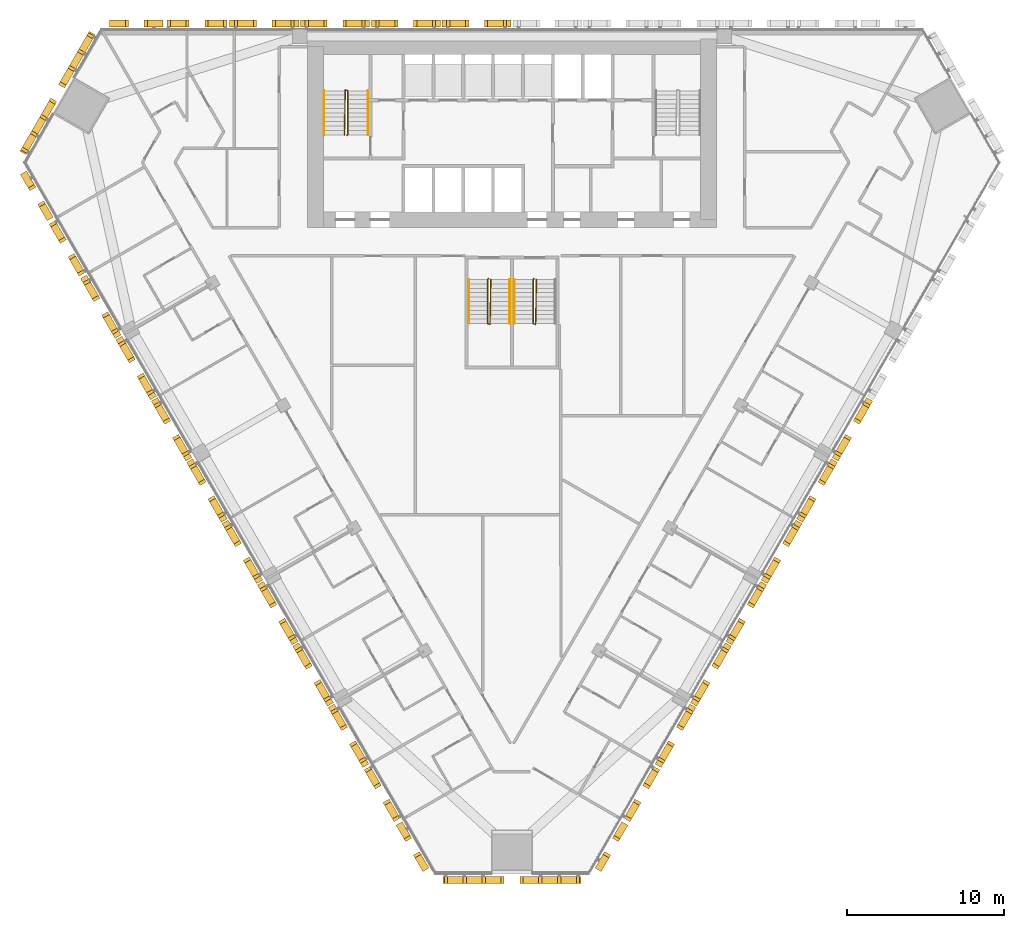
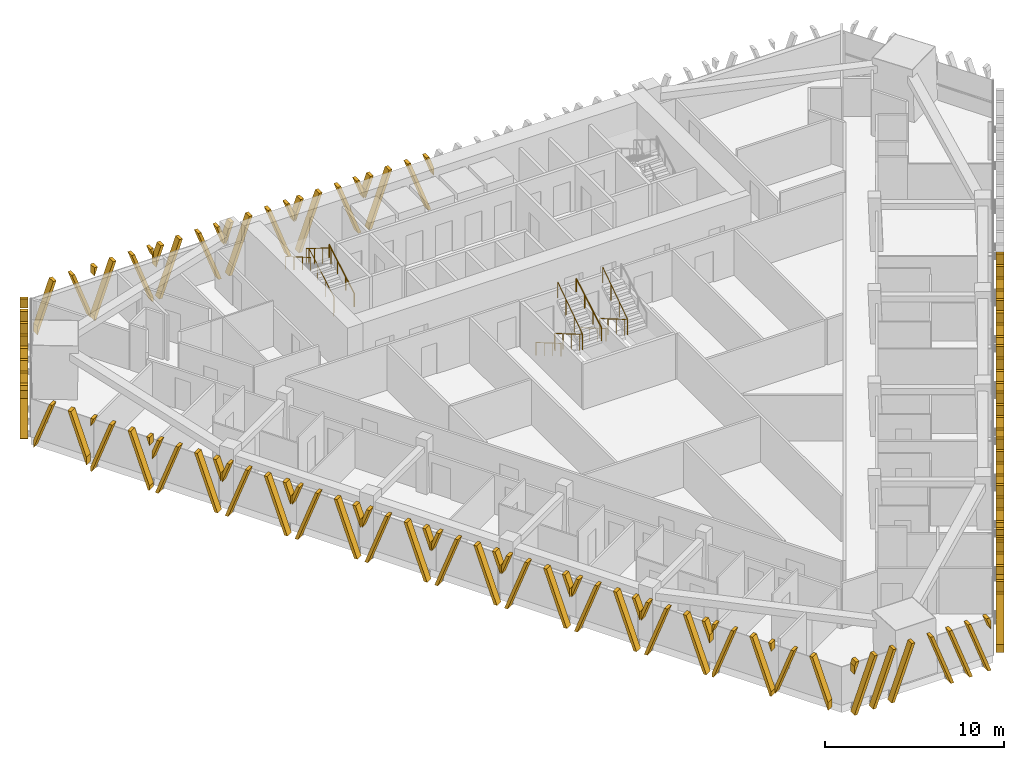
# One storey, part 16 of 18: 28 shading devices, 8 railings.
"""IFC4 building model written with IfcOpenShell, lengths in metres."""

from ifc_helpers import new_model, si_unit, direction, frame, origin, origin_2d, place, context, subcontext, project, spatial, polyline, circle, outline, extrude, source, transform, mapped, material, type_object, element, save


model = new_model("IFC4")

# Units and contexts
model_context = context("Model", 3, precision=1e-05, world=origin(), true_north=direction((0.0, 1.0)))
body_context = subcontext(model_context, "Body", "Model", "MODEL_VIEW")
ifc_project = project(units=[si_unit("LENGTHUNIT", "METRE"), si_unit("AREAUNIT", "SQUARE_METRE"), si_unit("VOLUMEUNIT", "CUBIC_METRE"), si_unit("PLANEANGLEUNIT", "RADIAN"), si_unit("MASSUNIT", "GRAM", prefix="KILO")], contexts=[model_context])

# Site, building, storey
site_placement = place(None, origin())
site = spatial("IfcSite", under=ifc_project, at=site_placement, CompositionType="ELEMENT")
building_placement = place(site_placement, origin())
building = spatial("IfcBuilding", under=site, at=building_placement, Name="Altiplano Prism Tower", CompositionType="ELEMENT")
storey_placement = place(building_placement, frame((0.0, 0.0, 37.800048828125)))
storey = spatial("IfcBuildingStorey", under=building, at=storey_placement, Name="L08", CompositionType="ELEMENT", Elevation=37.800048828125)

# Railings
ifc_material_1 = material(Name="Steel S355", Category="steel")
railing_type_1 = type_object("IfcRailingType", Name="Stair guard 1100", PredefinedType="GUARDRAIL", material=ifc_material_1)
railing_1_placement = place(storey_placement, frame((74.5, 98.25, 0.0)))
element("IfcRailing", 1, at=railing_1_placement, inside=storey, type_object=railing_type_1, Name="L08 ST1 stair guard 1", PredefinedType="GUARDRAIL", context=body_context, shape_type="SweptSolid", body=[
    extrude(circle(Radius=0.02392578125, at=origin_2d()), frame((0.0, 0.0, 1.076171875), z_axis=(0.280808744504, 0.280808744504, 0.917765164963), x_axis=(-0.707106781187, 0.707106781187, 0.0)), (0.0, 0.0, 1.0), 0.17822265625),
    extrude(circle(Radius=0.02392578125, at=origin_2d()), frame((0.050048828125, 0.050048828125, 1.23974609375), z_axis=(0.0, 0.863360870873, 0.504586966384), x_axis=(-1.0, 0.0, 0.0)), (0.0, 0.0, 1.0), 3.2431640625),
    extrude(circle(Radius=0.02392578125, at=origin_2d()), frame((0.050048828125, 2.85009765625, 2.8759765625), z_axis=(-0.949145278916, 0.314838433982, 0.0), x_axis=(-0.314838433982, -0.949145278916, 0.0)), (0.0, 0.0, 1.0), 0.158203125),
    extrude(circle(Radius=0.02392578125, at=origin_2d()), frame((-0.10009765625, 2.89990234375, 2.8759765625), z_axis=(-0.014774583964, -0.845410385345, 0.533912906773), x_axis=(0.999847325713, -0.01747355902, 0.0)), (0.0, 0.0, 1.0), 3.370849609375),
    extrude(circle(Radius=0.02099609375, at=origin_2d()), origin(), (0.0, 0.0, 1.0), 1.052001953125),
    extrude(circle(Radius=0.02099609375, at=origin_2d()), frame((0.050048828125, 0.050048828125, 0.16357421875)), (0.0, 0.0, 1.0), 1.052001953125),
    extrude(circle(Radius=0.02099609375, at=origin_2d()), frame((0.050048828125, 0.9833984375, 0.708984375)), (0.0, 0.0, 1.0), 1.052001953125),
    extrude(circle(Radius=0.02099609375, at=origin_2d()), frame((0.050048828125, 1.916748046875, 1.254638671875)), (0.0, 0.0, 1.0), 1.052001953125),
    extrude(circle(Radius=0.02099609375, at=origin_2d()), frame((0.050048828125, 2.85009765625, 1.800048828125)), (0.0, 0.0, 1.0), 1.052001953125),
    extrude(circle(Radius=0.02099609375, at=origin_2d()), frame((-0.10009765625, 2.89990234375, 1.800048828125)), (0.0, 0.0, 1.0), 1.052001953125),
    extrude(circle(Radius=0.02099609375, at=origin_2d()), frame((-0.11669921875, 1.949951171875, 2.39990234375)), (0.0, 0.0, 1.0), 1.052001953125),
    extrude(circle(Radius=0.02099609375, at=origin_2d()), frame((-0.13330078125, 1.0, 3.0)), (0.0, 0.0, 1.0), 1.052001953125),
    extrude(circle(Radius=0.02099609375, at=origin_2d()), frame((-0.14990234375, 0.050048828125, 3.599853515625)), (0.0, 0.0, 1.0), 1.052001953125),
])
railing_2_placement = place(storey_placement, frame((83.5, 89.14990234375, 0.0)))
element("IfcRailing", 2, at=railing_2_placement, inside=storey, type_object=railing_type_1, Name="L08 ST3A stair guard 1", PredefinedType="GUARDRAIL", context=body_context, shape_type="SweptSolid", body=[
    extrude(circle(Radius=0.02392578125, at=origin_2d()), frame((0.0, 0.0, 1.076171875), z_axis=(-0.280916556609, -0.279546231943, 0.91811752648), x_axis=(0.705375805398, -0.708833529934, 0.0)), (0.0, 0.0, 1.0), 0.17822265625),
    extrude(circle(Radius=0.02392578125, at=origin_2d()), frame((-0.050048828125, -0.0498046875, 1.23974609375), z_axis=(0.0, -0.863360870873, 0.504586966384), x_axis=(1.0, 0.0, 0.0)), (0.0, 0.0, 1.0), 3.2431640625),
    extrude(circle(Radius=0.02392578125, at=origin_2d()), frame((-0.050048828125, -2.849853515625, 2.8759765625), z_axis=(0.948683298051, -0.316227766017, 0.0), x_axis=(0.316227766017, 0.948683298051, 0.0)), (0.0, 0.0, 1.0), 0.158203125),
    extrude(circle(Radius=0.02392578125, at=origin_2d()), frame((0.10009765625, -2.89990234375, 2.8759765625), z_axis=(0.014773679385, 0.845431044782, 0.53388021776), x_axis=(-0.999847351862, 0.017472062685, 0.0)), (0.0, 0.0, 1.0), 3.37109375),
    extrude(circle(Radius=0.02099609375, at=origin_2d()), origin(), (0.0, 0.0, 1.0), 1.052001953125),
    extrude(circle(Radius=0.02099609375, at=origin_2d()), frame((-0.050048828125, -0.0498046875, 0.16357421875)), (0.0, 0.0, 1.0), 1.052001953125),
    extrude(circle(Radius=0.02099609375, at=origin_2d()), frame((-0.050048828125, -0.983154296875, 0.708984375)), (0.0, 0.0, 1.0), 1.052001953125),
    extrude(circle(Radius=0.02099609375, at=origin_2d()), frame((-0.050048828125, -1.91650390625, 1.254638671875)), (0.0, 0.0, 1.0), 1.052001953125),
    extrude(circle(Radius=0.02099609375, at=origin_2d()), frame((-0.050048828125, -2.849853515625, 1.800048828125)), (0.0, 0.0, 1.0), 1.052001953125),
    extrude(circle(Radius=0.02099609375, at=origin_2d()), frame((0.10009765625, -2.89990234375, 1.800048828125)), (0.0, 0.0, 1.0), 1.052001953125),
    extrude(circle(Radius=0.02099609375, at=origin_2d()), frame((0.11669921875, -1.949951171875, 2.39990234375)), (0.0, 0.0, 1.0), 1.052001953125),
    extrude(circle(Radius=0.02099609375, at=origin_2d()), frame((0.13330078125, -0.999755859375, 3.0)), (0.0, 0.0, 1.0), 1.052001953125),
    extrude(circle(Radius=0.02099609375, at=origin_2d()), frame((0.14990234375, -0.0498046875, 3.599853515625)), (0.0, 0.0, 1.0), 1.052001953125),
])
railing_3_placement = place(storey_placement, frame((86.39990234375, 89.14990234375, 0.0)))
element("IfcRailing", 3, at=railing_3_placement, inside=storey, type_object=railing_type_1, Name="L08 ST3B stair guard 1", PredefinedType="GUARDRAIL", context=body_context, shape_type="SweptSolid", body=[
    extrude(circle(Radius=0.02392578125, at=origin_2d()), frame((0.0, 0.0, 1.076171875), z_axis=(-0.279653641804, -0.279653641804, 0.918470294159), x_axis=(0.707106781187, -0.707106781187, 0.0)), (0.0, 0.0, 1.0), 0.177978515625),
    extrude(circle(Radius=0.02392578125, at=origin_2d()), frame((-0.0498046875, -0.0498046875, 1.23974609375), z_axis=(0.0, -0.863360870873, 0.504586966384), x_axis=(1.0, 0.0, 0.0)), (0.0, 0.0, 1.0), 3.2431640625),
    extrude(circle(Radius=0.02392578125, at=origin_2d()), frame((-0.0498046875, -2.849853515625, 2.8759765625), z_axis=(0.948528701346, -0.316691178788, 0.0), x_axis=(0.316691178788, 0.948528701346, 0.0)), (0.0, 0.0, 1.0), 0.157958984375),
    extrude(circle(Radius=0.02392578125, at=origin_2d()), frame((0.10009765625, -2.89990234375, 2.8759765625), z_axis=(0.014846083459, 0.845430138032, 0.533879645158), x_axis=(-0.999845851991, 0.017557683712, 0.0)), (0.0, 0.0, 1.0), 3.37109375),
    extrude(circle(Radius=0.02099609375, at=origin_2d()), origin(), (0.0, 0.0, 1.0), 1.052001953125),
    extrude(circle(Radius=0.02099609375, at=origin_2d()), frame((-0.0498046875, -0.0498046875, 0.16357421875)), (0.0, 0.0, 1.0), 1.052001953125),
    extrude(circle(Radius=0.02099609375, at=origin_2d()), frame((-0.0498046875, -0.983154296875, 0.708984375)), (0.0, 0.0, 1.0), 1.052001953125),
    extrude(circle(Radius=0.02099609375, at=origin_2d()), frame((-0.0498046875, -1.91650390625, 1.254638671875)), (0.0, 0.0, 1.0), 1.052001953125),
    extrude(circle(Radius=0.02099609375, at=origin_2d()), frame((-0.0498046875, -2.849853515625, 1.800048828125)), (0.0, 0.0, 1.0), 1.052001953125),
    extrude(circle(Radius=0.02099609375, at=origin_2d()), frame((0.10009765625, -2.89990234375, 1.800048828125)), (0.0, 0.0, 1.0), 1.052001953125),
    extrude(circle(Radius=0.02099609375, at=origin_2d()), frame((0.11669921875, -1.949951171875, 2.39990234375)), (0.0, 0.0, 1.0), 1.052001953125),
    extrude(circle(Radius=0.02099609375, at=origin_2d()), frame((0.133544921875, -0.999755859375, 3.0)), (0.0, 0.0, 1.0), 1.052001953125),
    extrude(circle(Radius=0.02099609375, at=origin_2d()), frame((0.150146484375, -0.0498046875, 3.599853515625)), (0.0, 0.0, 1.0), 1.052001953125),
])
railing_type_2 = type_object("IfcRailingType", Name="Stair handrail 900", PredefinedType="HANDRAIL", material=ifc_material_1)
railing_4_placement = place(storey_placement, frame((75.85009765625, 98.300048828125, 0.16357421875)))
element("IfcRailing", 4, at=railing_4_placement, inside=storey, type_object=railing_type_2, Name="L08 ST1 stair handrail 1", PredefinedType="HANDRAIL", context=body_context, shape_type="SweptSolid", body=[
    extrude(circle(Radius=0.02392578125, at=origin_2d()), frame((0.0, 0.0, 0.8759765625), z_axis=(0.0, 0.863360870873, 0.504586966384), x_axis=(-1.0, 0.0, 0.0)), (0.0, 0.0, 1.0), 3.2431640625),
    extrude(circle(Radius=0.02099609375, at=origin_2d()), origin(), (0.0, 0.0, 1.0), 0.851806640625),
    extrude(circle(Radius=0.02099609375, at=origin_2d()), frame((0.0, 0.933349609375, 0.54541015625)), (0.0, 0.0, 1.0), 0.851806640625),
    extrude(circle(Radius=0.02099609375, at=origin_2d()), frame((0.0, 1.86669921875, 1.091064453125)), (0.0, 0.0, 1.0), 0.851806640625),
    extrude(circle(Radius=0.02099609375, at=origin_2d()), frame((0.0, 2.800048828125, 1.636474609375)), (0.0, 0.0, 1.0), 0.851806640625),
])
railing_5_placement = place(storey_placement, frame((73.050048828125, 101.10009765625, 1.963623046875)))
element("IfcRailing", 5, at=railing_5_placement, inside=storey, type_object=railing_type_2, Name="L08 ST1 stair handrail 2", PredefinedType="HANDRAIL", context=body_context, shape_type="SweptSolid", body=[
    extrude(circle(Radius=0.02392578125, at=origin_2d()), frame((0.0, 0.0, 0.8759765625), z_axis=(0.0, -0.863393664356, 0.504530851732), x_axis=(1.0, 0.0, 0.0)), (0.0, 0.0, 1.0), 3.2431640625),
    extrude(circle(Radius=0.02099609375, at=origin_2d()), origin(), (0.0, 0.0, 1.0), 0.851806640625),
    extrude(circle(Radius=0.02099609375, at=origin_2d()), frame((0.0, -0.933349609375, 0.54541015625)), (0.0, 0.0, 1.0), 0.851806640625),
    extrude(circle(Radius=0.02099609375, at=origin_2d()), frame((0.0, -1.86669921875, 1.0908203125)), (0.0, 0.0, 1.0), 0.851806640625),
    extrude(circle(Radius=0.02099609375, at=origin_2d()), frame((0.0, -2.800048828125, 1.63623046875)), (0.0, 0.0, 1.0), 0.851806640625),
])
railing_6_placement = place(storey_placement, frame((82.25, 89.10009765625, 0.16357421875)))
element("IfcRailing", 6, at=railing_6_placement, inside=storey, type_object=railing_type_2, Name="L08 ST3A stair handrail 1", PredefinedType="HANDRAIL", context=body_context, shape_type="SweptSolid", body=[
    extrude(circle(Radius=0.02392578125, at=origin_2d()), frame((0.0, 0.0, 0.8759765625), z_axis=(0.0, -0.863360870873, 0.504586966384), x_axis=(1.0, 0.0, 0.0)), (0.0, 0.0, 1.0), 3.2431640625),
    extrude(circle(Radius=0.02099609375, at=origin_2d()), origin(), (0.0, 0.0, 1.0), 0.851806640625),
    extrude(circle(Radius=0.02099609375, at=origin_2d()), frame((0.0, -0.933349609375, 0.54541015625)), (0.0, 0.0, 1.0), 0.851806640625),
    extrude(circle(Radius=0.02099609375, at=origin_2d()), frame((0.0, -1.86669921875, 1.091064453125)), (0.0, 0.0, 1.0), 0.851806640625),
    extrude(circle(Radius=0.02099609375, at=origin_2d()), frame((0.0, -2.800048828125, 1.636474609375)), (0.0, 0.0, 1.0), 0.851806640625),
])
railing_7_placement = place(storey_placement, frame((84.85009765625, 86.300048828125, 1.963623046875)))
element("IfcRailing", 7, at=railing_7_placement, inside=storey, type_object=railing_type_2, Name="L08 ST3A stair handrail 2", PredefinedType="HANDRAIL", context=body_context, shape_type="SweptSolid", body=[
    extrude(circle(Radius=0.02392578125, at=origin_2d()), frame((0.0, 0.0, 0.8759765625), z_axis=(0.0, 0.863393664356, 0.504530851732), x_axis=(-1.0, 0.0, 0.0)), (0.0, 0.0, 1.0), 3.2431640625),
    extrude(circle(Radius=0.02099609375, at=origin_2d()), origin(), (0.0, 0.0, 1.0), 0.851806640625),
    extrude(circle(Radius=0.02099609375, at=origin_2d()), frame((0.0, 0.933349609375, 0.54541015625)), (0.0, 0.0, 1.0), 0.851806640625),
    extrude(circle(Radius=0.02099609375, at=origin_2d()), frame((0.0, 1.86669921875, 1.0908203125)), (0.0, 0.0, 1.0), 0.851806640625),
    extrude(circle(Radius=0.02099609375, at=origin_2d()), frame((0.0, 2.800048828125, 1.63623046875)), (0.0, 0.0, 1.0), 0.851806640625),
])
railing_8_placement = place(storey_placement, frame((85.14990234375, 89.10009765625, 0.16357421875)))
element("IfcRailing", 8, at=railing_8_placement, inside=storey, type_object=railing_type_2, Name="L08 ST3B stair handrail 1", PredefinedType="HANDRAIL", context=body_context, shape_type="SweptSolid", body=[
    extrude(circle(Radius=0.02392578125, at=origin_2d()), frame((0.0, 0.0, 0.8759765625), z_axis=(0.0, -0.863360870873, 0.504586966384), x_axis=(1.0, 0.0, 0.0)), (0.0, 0.0, 1.0), 3.2431640625),
    extrude(circle(Radius=0.02099609375, at=origin_2d()), origin(), (0.0, 0.0, 1.0), 0.851806640625),
    extrude(circle(Radius=0.02099609375, at=origin_2d()), frame((0.0, -0.933349609375, 0.54541015625)), (0.0, 0.0, 1.0), 0.851806640625),
    extrude(circle(Radius=0.02099609375, at=origin_2d()), frame((0.0, -1.86669921875, 1.091064453125)), (0.0, 0.0, 1.0), 0.851806640625),
    extrude(circle(Radius=0.02099609375, at=origin_2d()), frame((0.0, -2.800048828125, 1.636474609375)), (0.0, 0.0, 1.0), 0.851806640625),
])

# Shading devices
ifc_material_2 = material(Name="Warm limestone cast stone", Category="masonry")
shading_device_type_1 = type_object("IfcShadingDeviceType", Name="Stone fin panel, standard unit", PredefinedType="USERDEFINED", material=ifc_material_2)
shared_shape_1 = source(origin(), body_context, "Body", "SweptSolid", [
    extrude(outline(polyline([(-2.199951171875, 2.226318359375), (-1.699951171875, 3.60009765625), (-1.89990234375, 3.60009765625), (-2.199951171875, 2.77587890625), (-2.199951171875, 2.226318359375)])), frame((0.0, -0.14990234375, 0.0), z_axis=(0.0, -1.0, 0.0), x_axis=(1.0, 0.0, 0.0)), (0.0, 0.0, 1.0), 0.4501953125),
    extrude(outline(polyline([(-2.01025390625, 0.0), (-1.810302734375, 0.0), (-0.5, 3.60009765625), (-0.699951171875, 3.60009765625), (-2.01025390625, 0.0)])), frame((0.0, -0.14990234375, 0.0), z_axis=(0.0, -1.0, 0.0), x_axis=(1.0, 0.0, 0.0)), (0.0, 0.0, 1.0), 0.4501953125),
    extrude(outline(polyline([(1.810302734375, 0.0), (2.01025390625, 0.0), (0.699951171875, 3.60009765625), (0.5, 3.60009765625), (1.810302734375, 0.0)])), frame((0.0, -0.14990234375, 0.0), z_axis=(0.0, -1.0, 0.0), x_axis=(1.0, 0.0, 0.0)), (0.0, 0.0, 1.0), 0.4501953125),
    extrude(outline(polyline([(2.199951171875, 2.77587890625), (1.89990234375, 3.60009765625), (1.699951171875, 3.60009765625), (2.199951171875, 2.226318359375), (2.199951171875, 2.77587890625)])), frame((0.0, -0.14990234375, 0.0), z_axis=(0.0, -1.0, 0.0), x_axis=(1.0, 0.0, 0.0)), (0.0, 0.0, 1.0), 0.4501953125),
])
shading_device_1_placement = place(storey_placement, origin())
element("IfcShadingDevice", 9, at=shading_device_1_placement, inside=storey, type_object=shading_device_type_1, Name="Fin L08 north face 7", ObjectType="FIN", PredefinedType="USERDEFINED", context=body_context, shape_type="MappedRepresentation", body=[
    mapped(shared_shape_1, transform((82.75, 105.0, -0.5), x_axis=(-1.0, 0.0, 0.0), y_axis=(0.0, -1.0, 0.0), z_axis=(0.0, 0.0, 1.0))),
])
shading_device_2_placement = place(storey_placement, origin())
element("IfcShadingDevice", 10, at=shading_device_2_placement, inside=storey, type_object=shading_device_type_1, Name="Fin L08 north face 8", ObjectType="FIN", PredefinedType="USERDEFINED", context=body_context, shape_type="MappedRepresentation", body=[
    mapped(shared_shape_1, transform((78.25, 105.0, -0.5), x_axis=(-1.0, 0.0, 0.0), y_axis=(0.0, -1.0, 0.0), z_axis=(0.0, 0.0, 1.0))),
])
shading_device_3_placement = place(storey_placement, origin())
element("IfcShadingDevice", 11, at=shading_device_3_placement, inside=storey, type_object=shading_device_type_1, Name="Fin L08 north face 9", ObjectType="FIN", PredefinedType="USERDEFINED", context=body_context, shape_type="MappedRepresentation", body=[
    mapped(shared_shape_1, transform((73.75, 105.0, -0.5), x_axis=(-1.0, 0.0, 0.0), y_axis=(0.0, -1.0, 0.0), z_axis=(0.0, 0.0, 1.0))),
])
shading_device_4_placement = place(storey_placement, origin())
element("IfcShadingDevice", 12, at=shading_device_4_placement, inside=storey, type_object=shading_device_type_1, Name="Fin L08 north face 10", ObjectType="FIN", PredefinedType="USERDEFINED", context=body_context, shape_type="MappedRepresentation", body=[
    mapped(shared_shape_1, transform((69.25, 105.0, -0.5), x_axis=(-1.0, 0.0, 0.0), y_axis=(0.0, -1.0, 0.0), z_axis=(0.0, 0.0, 1.0))),
])
shading_device_5_placement = place(storey_placement, origin())
element("IfcShadingDevice", 13, at=shading_device_5_placement, inside=storey, type_object=shading_device_type_1, Name="Fin L08 south-west face 3", ObjectType="FIN", PredefinedType="USERDEFINED", context=body_context, shape_type="MappedRepresentation", body=[
    mapped(shared_shape_1, transform((59.178466796875, 87.555419921875, -0.5), x_axis=(0.499999990242, -0.866025409418, 0.0), y_axis=(0.866025409418, 0.499999990242, 0.0), z_axis=(0.0, 0.0, 1.0))),
])
shading_device_6_placement = place(storey_placement, origin())
element("IfcShadingDevice", 14, at=shading_device_6_placement, inside=storey, type_object=shading_device_type_1, Name="Fin L08 south-west face 4", ObjectType="FIN", PredefinedType="USERDEFINED", context=body_context, shape_type="MappedRepresentation", body=[
    mapped(shared_shape_1, transform((61.428466796875, 83.658447265625, -0.5), x_axis=(0.499999990242, -0.866025409418, 0.0), y_axis=(0.866025409418, 0.499999990242, 0.0), z_axis=(0.0, 0.0, 1.0))),
])
shading_device_7_placement = place(storey_placement, origin())
element("IfcShadingDevice", 15, at=shading_device_7_placement, inside=storey, type_object=shading_device_type_1, Name="Fin L08 south-west face 5", ObjectType="FIN", PredefinedType="USERDEFINED", context=body_context, shape_type="MappedRepresentation", body=[
    mapped(shared_shape_1, transform((63.678466796875, 79.76123046875, -0.5), x_axis=(0.499999990242, -0.866025409418, 0.0), y_axis=(0.866025409418, 0.499999990242, 0.0), z_axis=(0.0, 0.0, 1.0))),
])
shading_device_8_placement = place(storey_placement, origin())
element("IfcShadingDevice", 16, at=shading_device_8_placement, inside=storey, type_object=shading_device_type_1, Name="Fin L08 south-west face 6", ObjectType="FIN", PredefinedType="USERDEFINED", context=body_context, shape_type="MappedRepresentation", body=[
    mapped(shared_shape_1, transform((65.928466796875, 75.8642578125, -0.5), x_axis=(0.499999990242, -0.866025409418, 0.0), y_axis=(0.866025409418, 0.499999990242, 0.0), z_axis=(0.0, 0.0, 1.0))),
])
shading_device_9_placement = place(storey_placement, origin())
element("IfcShadingDevice", 17, at=shading_device_9_placement, inside=storey, type_object=shading_device_type_1, Name="Fin L08 south-west face 7", ObjectType="FIN", PredefinedType="USERDEFINED", context=body_context, shape_type="MappedRepresentation", body=[
    mapped(shared_shape_1, transform((68.178466796875, 71.967041015625, -0.5), x_axis=(0.499999990242, -0.866025409418, 0.0), y_axis=(0.866025409418, 0.499999990242, 0.0), z_axis=(0.0, 0.0, 1.0))),
])
shading_device_10_placement = place(storey_placement, origin())
element("IfcShadingDevice", 18, at=shading_device_10_placement, inside=storey, type_object=shading_device_type_1, Name="Fin L08 south-west face 8", ObjectType="FIN", PredefinedType="USERDEFINED", context=body_context, shape_type="MappedRepresentation", body=[
    mapped(shared_shape_1, transform((70.428466796875, 68.070068359375, -0.5), x_axis=(0.499999990242, -0.866025409418, 0.0), y_axis=(0.866025409418, 0.499999990242, 0.0), z_axis=(0.0, 0.0, 1.0))),
])
shading_device_11_placement = place(storey_placement, origin())
element("IfcShadingDevice", 19, at=shading_device_11_placement, inside=storey, type_object=shading_device_type_1, Name="Fin L08 south-west face 9", ObjectType="FIN", PredefinedType="USERDEFINED", context=body_context, shape_type="MappedRepresentation", body=[
    mapped(shared_shape_1, transform((72.678466796875, 64.1728515625, -0.5), x_axis=(0.499999990242, -0.866025409418, 0.0), y_axis=(0.866025409418, 0.499999990242, 0.0), z_axis=(0.0, 0.0, 1.0))),
])
shading_device_12_placement = place(storey_placement, origin())
element("IfcShadingDevice", 20, at=shading_device_12_placement, inside=storey, type_object=shading_device_type_1, Name="Fin L08 south-west face 10", ObjectType="FIN", PredefinedType="USERDEFINED", context=body_context, shape_type="MappedRepresentation", body=[
    mapped(shared_shape_1, transform((74.928466796875, 60.275634765625, -0.5), x_axis=(0.499999990242, -0.866025409418, 0.0), y_axis=(0.866025409418, 0.499999990242, 0.0), z_axis=(0.0, 0.0, 1.0))),
])
shading_device_13_placement = place(storey_placement, origin())
element("IfcShadingDevice", 21, at=shading_device_13_placement, inside=storey, type_object=shading_device_type_1, Name="Fin L08 south-east face 3", ObjectType="FIN", PredefinedType="USERDEFINED", context=body_context, shape_type="MappedRepresentation", body=[
    mapped(shared_shape_1, transform((95.071533203125, 60.275634765625, -0.5), x_axis=(0.499999990242, 0.866025409418, 0.0), y_axis=(-0.866025409418, 0.499999990242, 0.0), z_axis=(0.0, 0.0, 1.0))),
])
shading_device_14_placement = place(storey_placement, origin())
element("IfcShadingDevice", 22, at=shading_device_14_placement, inside=storey, type_object=shading_device_type_1, Name="Fin L08 south-east face 4", ObjectType="FIN", PredefinedType="USERDEFINED", context=body_context, shape_type="MappedRepresentation", body=[
    mapped(shared_shape_1, transform((97.321533203125, 64.1728515625, -0.5), x_axis=(0.499999990242, 0.866025409418, 0.0), y_axis=(-0.866025409418, 0.499999990242, 0.0), z_axis=(0.0, 0.0, 1.0))),
])
shading_device_15_placement = place(storey_placement, origin())
element("IfcShadingDevice", 23, at=shading_device_15_placement, inside=storey, type_object=shading_device_type_1, Name="Fin L08 south-east face 5", ObjectType="FIN", PredefinedType="USERDEFINED", context=body_context, shape_type="MappedRepresentation", body=[
    mapped(shared_shape_1, transform((99.571533203125, 68.070068359375, -0.5), x_axis=(0.499999990242, 0.866025409418, 0.0), y_axis=(-0.866025409418, 0.499999990242, 0.0), z_axis=(0.0, 0.0, 1.0))),
])
shading_device_16_placement = place(storey_placement, origin())
element("IfcShadingDevice", 24, at=shading_device_16_placement, inside=storey, type_object=shading_device_type_1, Name="Fin L08 south-east face 6", ObjectType="FIN", PredefinedType="USERDEFINED", context=body_context, shape_type="MappedRepresentation", body=[
    mapped(shared_shape_1, transform((101.821533203125, 71.967041015625, -0.5), x_axis=(0.499999990242, 0.866025409418, 0.0), y_axis=(-0.866025409418, 0.499999990242, 0.0), z_axis=(0.0, 0.0, 1.0))),
])
shading_device_17_placement = place(storey_placement, origin())
element("IfcShadingDevice", 25, at=shading_device_17_placement, inside=storey, type_object=shading_device_type_1, Name="Fin L08 south-east face 7", ObjectType="FIN", PredefinedType="USERDEFINED", context=body_context, shape_type="MappedRepresentation", body=[
    mapped(shared_shape_1, transform((104.071533203125, 75.8642578125, -0.5), x_axis=(0.499999990242, 0.866025409418, 0.0), y_axis=(-0.866025409418, 0.499999990242, 0.0), z_axis=(0.0, 0.0, 1.0))),
])
shading_device_18_placement = place(storey_placement, origin())
element("IfcShadingDevice", 26, at=shading_device_18_placement, inside=storey, type_object=shading_device_type_1, Name="Fin L08 south-east face 8", ObjectType="FIN", PredefinedType="USERDEFINED", context=body_context, shape_type="MappedRepresentation", body=[
    mapped(shared_shape_1, transform((106.321533203125, 79.76123046875, -0.5), x_axis=(0.499999990242, 0.866025409418, 0.0), y_axis=(-0.866025409418, 0.499999990242, 0.0), z_axis=(0.0, 0.0, 1.0))),
])
shading_device_type_2 = type_object("IfcShadingDeviceType", Name="Stone fin panel, narrow closing bay", PredefinedType="USERDEFINED", material=ifc_material_2)
shared_shape_2 = source(origin(), body_context, "Body", "SweptSolid", [
    extrude(outline(polyline([(-1.699951171875, 0.302978515625), (-0.5, 3.60009765625), (-0.699951171875, 3.60009765625), (-1.699951171875, 0.8525390625), (-1.699951171875, 0.302978515625)])), frame((0.0, -0.14990234375, 0.0), z_axis=(0.0, -1.0, 0.0), x_axis=(1.0, 0.0, 0.0)), (0.0, 0.0, 1.0), 0.4501953125),
    extrude(outline(polyline([(1.699951171875, 0.8525390625), (0.699951171875, 3.60009765625), (0.5, 3.60009765625), (1.699951171875, 0.302978515625), (1.699951171875, 0.8525390625)])), frame((0.0, -0.14990234375, 0.0), z_axis=(0.0, -1.0, 0.0), x_axis=(1.0, 0.0, 0.0)), (0.0, 0.0, 1.0), 0.4501953125),
])
shading_device_19_placement = place(storey_placement, origin())
element("IfcShadingDevice", 27, at=shading_device_19_placement, inside=storey, type_object=shading_device_type_2, Name="Fin L08 north face 12", ObjectType="FIN", PredefinedType="USERDEFINED", context=body_context, shape_type="MappedRepresentation", body=[
    mapped(shared_shape_2, transform((61.10693359375, 105.0, -0.5), x_axis=(-1.0, 0.0, 0.0), y_axis=(0.0, -1.0, 0.0), z_axis=(0.0, 0.0, 1.0))),
])
shading_device_20_placement = place(storey_placement, origin())
element("IfcShadingDevice", 28, at=shading_device_20_placement, inside=storey, type_object=shading_device_type_2, Name="Fin L08 south-west face 1", ObjectType="FIN", PredefinedType="USERDEFINED", context=body_context, shape_type="MappedRepresentation", body=[
    mapped(shared_shape_2, transform((55.10693359375, 94.607666015625, -0.5), x_axis=(0.499999990242, -0.866025409418, 0.0), y_axis=(0.866025409418, 0.499999990242, 0.0), z_axis=(0.0, 0.0, 1.0))),
])
shading_device_21_placement = place(storey_placement, origin())
element("IfcShadingDevice", 29, at=shading_device_21_placement, inside=storey, type_object=shading_device_type_2, Name="Fin L08 south-west face 12", ObjectType="FIN", PredefinedType="USERDEFINED", context=body_context, shape_type="MappedRepresentation", body=[
    mapped(shared_shape_2, transform((79.0, 53.2236328125, -0.5), x_axis=(0.499999990242, -0.866025409418, 0.0), y_axis=(0.866025409418, 0.499999990242, 0.0), z_axis=(0.0, 0.0, 1.0))),
])
shading_device_22_placement = place(storey_placement, origin())
element("IfcShadingDevice", 30, at=shading_device_22_placement, inside=storey, type_object=shading_device_type_2, Name="Fin L08 south-east face 1", ObjectType="FIN", PredefinedType="USERDEFINED", context=body_context, shape_type="MappedRepresentation", body=[
    mapped(shared_shape_2, transform((91.0, 53.2236328125, -0.5), x_axis=(0.499999990242, 0.866025409418, 0.0), y_axis=(-0.866025409418, 0.499999990242, 0.0), z_axis=(0.0, 0.0, 1.0))),
])
shared_shape_3 = source(origin(), body_context, "Body", "SweptSolid", [
    extrude(outline(polyline([(-1.89990234375, 0.0), (-1.810302734375, 0.0), (-0.5, 3.60009765625), (-0.699951171875, 3.60009765625), (-1.89990234375, 0.302978515625), (-1.89990234375, 0.0)])), frame((0.0, -0.14990234375, 0.0), z_axis=(0.0, -1.0, 0.0), x_axis=(1.0, 0.0, 0.0)), (0.0, 0.0, 1.0), 0.4501953125),
    extrude(outline(polyline([(-1.89990234375, 3.050537109375), (-1.699951171875, 3.60009765625), (-1.89990234375, 3.60009765625), (-1.89990234375, 3.050537109375)])), frame((0.0, -0.14990234375, 0.0), z_axis=(0.0, -1.0, 0.0), x_axis=(1.0, 0.0, 0.0)), (0.0, 0.0, 1.0), 0.4501953125),
    extrude(outline(polyline([(1.810302734375, 0.0), (1.89990234375, 0.0), (1.89990234375, 0.302978515625), (0.699951171875, 3.60009765625), (0.5, 3.60009765625), (1.810302734375, 0.0)])), frame((0.0, -0.14990234375, 0.0), z_axis=(0.0, -1.0, 0.0), x_axis=(1.0, 0.0, 0.0)), (0.0, 0.0, 1.0), 0.4501953125),
    extrude(outline(polyline([(1.89990234375, 3.60009765625), (1.699951171875, 3.60009765625), (1.89990234375, 3.050537109375), (1.89990234375, 3.60009765625)])), frame((0.0, -0.14990234375, 0.0), z_axis=(0.0, -1.0, 0.0), x_axis=(1.0, 0.0, 0.0)), (0.0, 0.0, 1.0), 0.4501953125),
])
shading_device_23_placement = place(storey_placement, origin())
element("IfcShadingDevice", 31, at=shading_device_23_placement, inside=storey, type_object=shading_device_type_2, Name="Fin L08 north face 11", ObjectType="FIN", PredefinedType="USERDEFINED", context=body_context, shape_type="MappedRepresentation", body=[
    mapped(shared_shape_3, transform((64.968994140625, 105.0, -0.5), x_axis=(-1.0, 0.0, 0.0), y_axis=(0.0, -1.0, 0.0), z_axis=(0.0, 0.0, 1.0))),
])
shading_device_24_placement = place(storey_placement, origin())
element("IfcShadingDevice", 32, at=shading_device_24_placement, inside=storey, type_object=shading_device_type_2, Name="Fin L08 south-west face 2", ObjectType="FIN", PredefinedType="USERDEFINED", context=body_context, shape_type="MappedRepresentation", body=[
    mapped(shared_shape_3, transform((57.037841796875, 91.262939453125, -0.5), x_axis=(0.499999990242, -0.866025409418, 0.0), y_axis=(0.866025409418, 0.499999990242, 0.0), z_axis=(0.0, 0.0, 1.0))),
])
shading_device_25_placement = place(storey_placement, origin())
element("IfcShadingDevice", 33, at=shading_device_25_placement, inside=storey, type_object=shading_device_type_2, Name="Fin L08 south-west face 11", ObjectType="FIN", PredefinedType="USERDEFINED", context=body_context, shape_type="MappedRepresentation", body=[
    mapped(shared_shape_3, transform((77.06884765625, 56.568359375, -0.5), x_axis=(0.499999990242, -0.866025409418, 0.0), y_axis=(0.866025409418, 0.499999990242, 0.0), z_axis=(0.0, 0.0, 1.0))),
])
shading_device_26_placement = place(storey_placement, origin())
element("IfcShadingDevice", 34, at=shading_device_26_placement, inside=storey, type_object=shading_device_type_2, Name="Fin L08 south-east face 2", ObjectType="FIN", PredefinedType="USERDEFINED", context=body_context, shape_type="MappedRepresentation", body=[
    mapped(shared_shape_3, transform((92.93115234375, 56.568359375, -0.5), x_axis=(0.499999990242, 0.866025409418, 0.0), y_axis=(-0.866025409418, 0.499999990242, 0.0), z_axis=(0.0, 0.0, 1.0))),
])
shading_device_type_3 = type_object("IfcShadingDeviceType", Name="Stone fin panel, chamfer unit", PredefinedType="USERDEFINED", material=ifc_material_2)
shared_shape_4 = source(origin(), body_context, "Body", "SweptSolid", [
    extrude(outline(polyline([(-4.39990234375, 0.0), (-4.210205078125, 0.0), (-2.89990234375, 3.60009765625), (-3.10009765625, 3.60009765625), (-4.39990234375, 0.0283203125), (-4.39990234375, 0.0)])), frame((0.0, -0.14990234375, 0.0), z_axis=(0.0, -1.0, 0.0), x_axis=(1.0, 0.0, 0.0)), (0.0, 0.0, 1.0), 0.4501953125),
    extrude(outline(polyline([(-4.39990234375, 2.77587890625), (-4.10009765625, 3.60009765625), (-4.300048828125, 3.60009765625), (-4.39990234375, 3.3251953125), (-4.39990234375, 2.77587890625)])), frame((0.0, -0.14990234375, 0.0), z_axis=(0.0, -1.0, 0.0), x_axis=(1.0, 0.0, 0.0)), (0.0, 0.0, 1.0), 0.4501953125),
    extrude(outline(polyline([(-3.210205078125, 0.0), (-3.01025390625, 0.0), (-1.699951171875, 3.60009765625), (-1.89990234375, 3.60009765625), (-3.210205078125, 0.0)])), frame((0.0, -0.14990234375, 0.0), z_axis=(0.0, -1.0, 0.0), x_axis=(1.0, 0.0, 0.0)), (0.0, 0.0, 1.0), 0.4501953125),
    extrude(outline(polyline([(-2.01025390625, 0.0), (-1.810302734375, 0.0), (-0.5, 3.60009765625), (-0.699951171875, 3.60009765625), (-2.01025390625, 0.0)])), frame((0.0, -0.14990234375, 0.0), z_axis=(0.0, -1.0, 0.0), x_axis=(1.0, 0.0, 0.0)), (0.0, 0.0, 1.0), 0.4501953125),
    extrude(outline(polyline([(1.810302734375, 0.0), (2.01025390625, 0.0), (0.699951171875, 3.60009765625), (0.5, 3.60009765625), (1.810302734375, 0.0)])), frame((0.0, -0.14990234375, 0.0), z_axis=(0.0, -1.0, 0.0), x_axis=(1.0, 0.0, 0.0)), (0.0, 0.0, 1.0), 0.4501953125),
    extrude(outline(polyline([(3.01025390625, 0.0), (3.210205078125, 0.0), (1.89990234375, 3.60009765625), (1.699951171875, 3.60009765625), (3.01025390625, 0.0)])), frame((0.0, -0.14990234375, 0.0), z_axis=(0.0, -1.0, 0.0), x_axis=(1.0, 0.0, 0.0)), (0.0, 0.0, 1.0), 0.4501953125),
    extrude(outline(polyline([(4.210205078125, 0.0), (4.39990234375, 0.0), (4.39990234375, 0.0283203125), (3.10009765625, 3.60009765625), (2.89990234375, 3.60009765625), (4.210205078125, 0.0)])), frame((0.0, -0.14990234375, 0.0), z_axis=(0.0, -1.0, 0.0), x_axis=(1.0, 0.0, 0.0)), (0.0, 0.0, 1.0), 0.4501953125),
    extrude(outline(polyline([(4.39990234375, 3.3251953125), (4.300048828125, 3.60009765625), (4.10009765625, 3.60009765625), (4.39990234375, 2.77587890625), (4.39990234375, 3.3251953125)])), frame((0.0, -0.14990234375, 0.0), z_axis=(0.0, -1.0, 0.0), x_axis=(1.0, 0.0, 0.0)), (0.0, 0.0, 1.0), 0.4501953125),
])
shading_device_27_placement = place(storey_placement, origin())
element("IfcShadingDevice", 35, at=shading_device_27_placement, inside=storey, type_object=shading_device_type_3, Name="Fin L08 north-west chamfer 1", ObjectType="FIN", PredefinedType="USERDEFINED", context=body_context, shape_type="MappedRepresentation", body=[
    mapped(shared_shape_4, transform((56.43359375, 100.769775390625, -0.5), x_axis=(-0.500000004956, -0.866025400923, 0.0), y_axis=(0.866025400923, -0.500000004956, 0.0), z_axis=(0.0, 0.0, 1.0))),
])
shading_device_28_placement = place(storey_placement, origin())
element("IfcShadingDevice", 36, at=shading_device_28_placement, inside=storey, type_object=shading_device_type_3, Name="Fin L08 south chamfer 1", ObjectType="FIN", PredefinedType="USERDEFINED", context=body_context, shape_type="MappedRepresentation", body=[
    mapped(shared_shape_4, transform((85.0, 51.29150390625, -0.5), x_axis=(1.0, 0.0, 0.0), y_axis=(0.0, 1.0, 0.0), z_axis=(0.0, 0.0, 1.0))),
])

save(model, "model.ifc")
